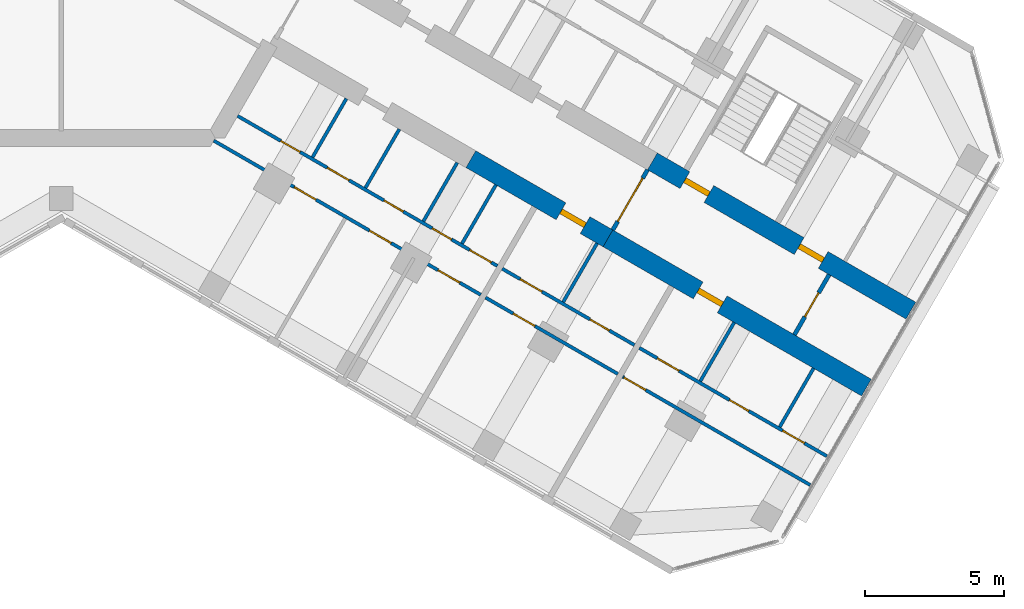
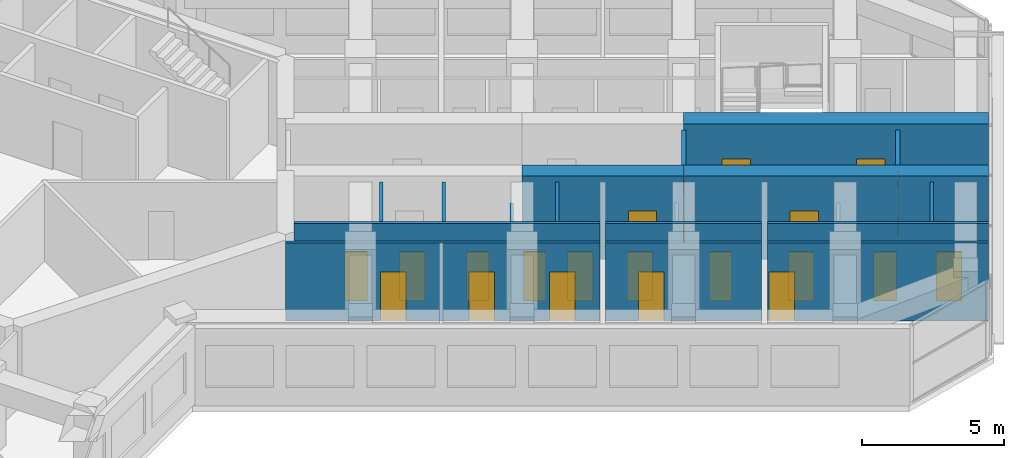
# One storey, part 11 of 16: 21 doors, 18 walls, 21 openings.
"""IFC4 building model written with IfcOpenShell, lengths in metres."""

from ifc_helpers import new_model, si_unit, direction, frame, frame_2d, origin, place, context, subcontext, project, spatial, rectangle, extrude, material, layer, layer_set, type_object, element, fill, save


model = new_model("IFC4")

# Units and contexts
model_context = context("Model", 3, precision=1e-05, world=origin(), true_north=direction((0.0, 1.0)))
body_context = subcontext(model_context, "Body", "Model", "MODEL_VIEW")
ifc_project = project(units=[si_unit("LENGTHUNIT", "METRE"), si_unit("AREAUNIT", "SQUARE_METRE"), si_unit("VOLUMEUNIT", "CUBIC_METRE"), si_unit("PLANEANGLEUNIT", "RADIAN"), si_unit("MASSUNIT", "GRAM", prefix="KILO")], contexts=[model_context])

# Site, building, storey
site_placement = place(None, origin())
site = spatial("IfcSite", under=ifc_project, at=site_placement, CompositionType="ELEMENT")
building_placement = place(site_placement, origin())
building = spatial("IfcBuilding", under=site, at=building_placement, Name="Kosmar Iwan School Tower", CompositionType="ELEMENT")
storey_placement = place(building_placement, frame((0.0, 0.0, 231.60009765625)))
storey = spatial("IfcBuildingStorey", under=building, at=storey_placement, Name="L58", CompositionType="ELEMENT", Elevation=231.60009765625)

# Wall, openings, doors
ifc_material_1 = material(Name="Concrete C50/60", Category="concrete")
ifc_layer_1 = layer(ifc_material_1, 0.699951171875)
ifc_layer_set_1 = layer_set([ifc_layer_1], Name="Corridor buttress wall 700")
wall_type_1 = type_object("IfcWallType", Name="Corridor buttress wall 700", PredefinedType="SHEAR", material=ifc_layer_set_1)
wall_1_placement = place(storey_placement, frame((21.281494140625, -10.439453125, 0.0), z_axis=(0.0, 0.0, 1.0), x_axis=(0.866032345022, -0.499987977232, 0.0)))
wall_1 = element("IfcWall", 1, at=wall_1_placement, inside=storey, type_object=wall_type_1, Name="Corridor wall CL bay 3", PredefinedType="SHEAR", context=body_context, shape_type="SweptSolid", body=[
    extrude(rectangle(XDim=10.744873046875, YDim=0.699951171875, at=frame_2d((5.37255859375, 0.0))), origin(), (0.0, 0.0, 1.0), 3.599853515625),
])
opening_1_placement = place(wall_1_placement, frame((6.10009765625, 0.0, 0.0)))
opening_1 = element("IfcOpeningElement", 2, at=opening_1_placement, cuts=wall_1, Name="Opening D1", PredefinedType="OPENING", context=body_context, shape_type="SweptSolid", body=[
    extrude(rectangle(XDim=1.0, YDim=2.10009765625, at=frame_2d((0.5, 1.050048828125))), frame((0.0, 0.362060546875, 0.0), z_axis=(0.0, -1.0, 0.0), x_axis=(1.0, 0.0, 0.0)), (0.0, 0.0, 1.0), 0.723876953125),
])
opening_2_placement = place(wall_1_placement, frame((1.35009765625, 0.0, 0.0)))
opening_2 = element("IfcOpeningElement", 3, at=opening_2_placement, cuts=wall_1, Name="Opening D6", PredefinedType="OPENING", context=body_context, shape_type="SweptSolid", body=[
    extrude(rectangle(XDim=1.0, YDim=2.10009765625, at=frame_2d((0.5, 1.050048828125))), frame((0.0, 0.362060546875, 0.0), z_axis=(0.0, -1.0, 0.0), x_axis=(1.0, 0.0, 0.0)), (0.0, 0.0, 1.0), 0.723876953125),
])
ifc_material_2 = material(Name="Timber fire door in steel frame", Category="steel")
door_type_1 = type_object("IfcDoorType", Name="Flat entrance door 1000x2100", OperationType="SINGLE_SWING_LEFT", PredefinedType="DOOR", material=ifc_material_2)
door_1_placement = place(opening_1_placement, origin())
door_1 = element("IfcDoor", 4, at=door_1_placement, inside=storey, type_object=door_type_1, Name="Flat L58-CL3 entrance door", OperationType="SINGLE_SWING_RIGHT", OverallHeight=2.10009765625, OverallWidth=1.0, PredefinedType="DOOR", context=body_context, shape_type="SweptSolid", body=[
    extrude(rectangle(XDim=1.0, YDim=2.10009765625, at=frame_2d((0.5, 1.050048828125))), frame((0.0, 0.10009765625, 0.0), z_axis=(0.0, -1.0, 0.0), x_axis=(1.0, 0.0, 0.0)), (0.0, 0.0, 1.0), 0.199951171875),
])
fill(opening_1, door_1)
ifc_material_3 = material(Name="Steel fire door", Category="steel")
door_type_2 = type_object("IfcDoorType", Name="Stair door 1000x2100", OperationType="SINGLE_SWING_LEFT", PredefinedType="DOOR", material=ifc_material_3)
door_2_placement = place(opening_2_placement, origin())
door_2 = element("IfcDoor", 5, at=door_2_placement, inside=storey, type_object=door_type_2, Name="Stair WS3 door L58", OperationType="SINGLE_SWING_LEFT", OverallHeight=2.10009765625, OverallWidth=1.0, PredefinedType="DOOR", context=body_context, shape_type="SweptSolid", body=[
    extrude(rectangle(XDim=1.0, YDim=2.10009765625, at=frame_2d((0.5, 1.050048828125))), frame((0.0, 0.10009765625, 0.0), z_axis=(0.0, -1.0, 0.0), x_axis=(1.0, 0.0, 0.0)), (0.0, 0.0, 1.0), 0.199951171875),
])
fill(opening_2, door_2)

# Wall, opening, door
wall_2_placement = place(storey_placement, frame((14.7451171875, -10.360595703125, 0.0), z_axis=(0.0, 0.0, 1.0), x_axis=(0.866015111908, -0.50001782563, 0.0)))
wall_2 = element("IfcWall", 6, at=wall_2_placement, inside=storey, type_object=wall_type_1, Name="Corridor wall CR bay 2", PredefinedType="SHEAR", context=body_context, shape_type="SweptSolid", body=[
    extrude(rectangle(XDim=5.699951171875, YDim=0.699951171875, at=frame_2d((2.85009765625, 0.0))), origin(), (0.0, 0.0, 1.0), 3.599853515625),
])
opening_3_placement = place(wall_2_placement, frame((3.75, 0.0, 0.0)))
opening_3 = element("IfcOpeningElement", 7, at=opening_3_placement, cuts=wall_2, Name="Opening D1", PredefinedType="OPENING", context=body_context, shape_type="SweptSolid", body=[
    extrude(rectangle(XDim=1.0, YDim=2.10009765625, at=frame_2d((0.5, 1.050048828125))), frame((0.0, 0.362060546875, 0.0), z_axis=(0.0, -1.0, 0.0), x_axis=(1.0, 0.0, 0.0)), (0.0, 0.0, 1.0), 0.723876953125),
])
door_3_placement = place(opening_3_placement, origin())
door_3 = element("IfcDoor", 8, at=door_3_placement, inside=storey, type_object=door_type_1, Name="Flat L58-CR2 entrance door", OperationType="SINGLE_SWING_RIGHT", OverallHeight=2.10009765625, OverallWidth=1.0, PredefinedType="DOOR", context=body_context, shape_type="SweptSolid", body=[
    extrude(rectangle(XDim=1.0, YDim=2.10009765625, at=frame_2d((0.5, 1.050048828125))), frame((0.0, 0.10009765625, 0.0), z_axis=(0.0, -1.0, 0.0), x_axis=(1.0, 0.0, 0.0)), (0.0, 0.0, 1.0), 0.199951171875),
])
fill(opening_3, door_3)

wall_3_placement = place(storey_placement, frame((19.681396484375, -13.210693359375, 0.0), z_axis=(0.0, 0.0, 1.0), x_axis=(0.866028186671, -0.499995179869, 0.0)))
wall_3 = element("IfcWall", 9, at=wall_3_placement, inside=storey, type_object=wall_type_1, Name="Corridor wall CR bay 3", PredefinedType="SHEAR", context=body_context, shape_type="SweptSolid", body=[
    extrude(rectangle(XDim=10.7451171875, YDim=0.699951171875, at=frame_2d((5.37255859375, 0.0))), origin(), (0.0, 0.0, 1.0), 3.599853515625),
])
opening_4_placement = place(wall_3_placement, frame((3.75, 0.0, 0.0)))
opening_4 = element("IfcOpeningElement", 10, at=opening_4_placement, cuts=wall_3, Name="Opening D1", PredefinedType="OPENING", context=body_context, shape_type="SweptSolid", body=[
    extrude(rectangle(XDim=1.0, YDim=2.10009765625, at=frame_2d((0.5, 1.050048828125))), frame((0.0, 0.362060546875, 0.0), z_axis=(0.0, -1.0, 0.0), x_axis=(1.0, 0.0, 0.0)), (0.0, 0.0, 1.0), 0.723876953125),
])
door_4_placement = place(opening_4_placement, origin())
door_4 = element("IfcDoor", 11, at=door_4_placement, inside=storey, type_object=door_type_1, Name="Flat L58-CR3 entrance door", OperationType="SINGLE_SWING_RIGHT", OverallHeight=2.10009765625, OverallWidth=1.0, PredefinedType="DOOR", context=body_context, shape_type="SweptSolid", body=[
    extrude(rectangle(XDim=1.0, YDim=2.10009765625, at=frame_2d((0.5, 1.050048828125))), frame((0.0, 0.10009765625, 0.0), z_axis=(0.0, -1.0, 0.0), x_axis=(1.0, 0.0, 0.0)), (0.0, 0.0, 1.0), 0.199951171875),
])
fill(opening_4, door_4)

ifc_material_4 = material(Name="Gypsum board on steel studs, fire-rated", Category="steel")
ifc_layer_2 = layer(ifc_material_4, 0.14990234375)
ifc_layer_set_2 = layer_set([ifc_layer_2], Name="Corridor end wall 150")
wall_type_2 = type_object("IfcWallType", Name="Corridor end wall 150", PredefinedType="PARTITIONING", material=ifc_layer_set_2)
wall_4_placement = place(storey_placement, frame((26.39501953125, -16.6826171875, 0.0), z_axis=(0.0, 0.0, 1.0), x_axis=(0.500004234368, 0.866022959057, 0.0)))
wall_4 = element("IfcWall", 12, at=wall_4_placement, inside=storey, type_object=wall_type_2, Name="Partition L58-C-CE", PredefinedType="PARTITIONING", context=body_context, shape_type="SweptSolid", body=[
    extrude(rectangle(XDim=2.5, YDim=0.14990234375, at=frame_2d((1.25, 0.0))), origin(), (0.0, 0.0, 1.0), 3.349853515625),
])
opening_5_placement = place(wall_4_placement, frame((0.75, 0.0, 0.0)))
opening_5 = element("IfcOpeningElement", 13, at=opening_5_placement, cuts=wall_4, Name="Opening D13", PredefinedType="OPENING", context=body_context, shape_type="SweptSolid", body=[
    extrude(rectangle(XDim=1.0, YDim=2.10009765625, at=frame_2d((0.5, 1.050048828125))), frame((0.0, 0.0869140625, 0.0), z_axis=(0.0, -1.0, 0.0), x_axis=(1.0, 0.0, 0.0)), (0.0, 0.0, 1.0), 0.173828125),
])
ifc_material_5 = material(Name="Timber fire door with vision panel", Category="wood")
door_type_3 = type_object("IfcDoorType", Name="Corridor end door 1000x2100", OperationType="SINGLE_SWING_LEFT", PredefinedType="DOOR", material=ifc_material_5)
door_5_placement = place(opening_5_placement, origin())
door_5 = element("IfcDoor", 14, at=door_5_placement, inside=storey, type_object=door_type_3, Name="Laundry and drying room door L58-C", OperationType="SINGLE_SWING_LEFT", OverallHeight=2.10009765625, OverallWidth=1.0, PredefinedType="DOOR", context=body_context, shape_type="SweptSolid", body=[
    extrude(rectangle(XDim=1.0, YDim=2.10009765625, at=frame_2d((0.5, 1.050048828125))), frame((0.0, 0.02490234375, 0.0), z_axis=(0.0, -1.0, 0.0), x_axis=(1.0, 0.0, 0.0)), (0.0, 0.0, 1.0), 0.050048828125),
])
fill(opening_5, door_5)

wall_5_placement = place(storey_placement, frame((19.8564453125, -12.907470703125, 0.0), z_axis=(0.0, 0.0, 1.0), x_axis=(0.500004234368, 0.866022959057, 0.0)))
wall_5 = element("IfcWall", 15, at=wall_5_placement, inside=storey, type_object=wall_type_2, Name="Partition L58-C-HW", PredefinedType="PARTITIONING", context=body_context, shape_type="SweptSolid", body=[
    extrude(rectangle(XDim=2.5, YDim=0.14990234375, at=frame_2d((1.25, 0.0))), origin(), (0.0, 0.0, 1.0), 3.349853515625),
])
opening_6_placement = place(wall_5_placement, frame((0.35009765625, 0.0, 0.0)))
opening_6 = element("IfcOpeningElement", 16, at=opening_6_placement, cuts=wall_5, Name="Opening D9", PredefinedType="OPENING", context=body_context, shape_type="SweptSolid", body=[
    extrude(rectangle(XDim=1.800048828125, YDim=2.10009765625, at=frame_2d((0.89990234375, 1.050048828125))), frame((0.0, 0.0869140625, 0.0), z_axis=(0.0, -1.0, 0.0), x_axis=(1.0, 0.0, 0.0)), (0.0, 0.0, 1.0), 0.173828125),
])
ifc_material_6 = material(Name="Steel framed glazed smoke door", Category="steel")
door_type_4 = type_object("IfcDoorType", Name="Corridor smoke door pair 1800x2100", OperationType="DOUBLE_DOOR_DOUBLE_SWING", PredefinedType="DOOR", material=ifc_material_6)
door_6_placement = place(opening_6_placement, origin())
door_6 = element("IfcDoor", 17, at=door_6_placement, inside=storey, type_object=door_type_4, Name="Entrance vestibule smoke doors L58-C", OperationType="DOUBLE_DOOR_DOUBLE_SWING", OverallHeight=2.10009765625, OverallWidth=1.800048828125, PredefinedType="DOOR", context=body_context, shape_type="SweptSolid", body=[
    extrude(rectangle(XDim=1.800048828125, YDim=2.10009765625, at=frame_2d((0.89990234375, 1.050048828125))), frame((0.0, 0.02490234375, 0.0), z_axis=(0.0, -1.0, 0.0), x_axis=(1.0, 0.0, 0.0)), (0.0, 0.0, 1.0), 0.050048828125),
])
fill(opening_6, door_6)

# Wall, openings, doors
ifc_material_7 = material(Name="Gypsum board on steel studs", Category="steel")
ifc_layer_3 = layer(ifc_material_7, 0.1201171875)
ifc_layer_set_3 = layer_set([ifc_layer_3], Name="Dwelling partition 120")
wall_type_3 = type_object("IfcWallType", Name="Dwelling partition 120", PredefinedType="PARTITIONING", material=ifc_layer_set_3)
wall_6_placement = place(storey_placement, frame((6.3486328125, -8.8037109375, 0.0), z_axis=(0.0, 0.0, 1.0), x_axis=(0.866018442252, -0.500012057535, 0.0)))
wall_6 = element("IfcWall", 18, at=wall_6_placement, inside=storey, type_object=wall_type_3, Name="Partition L58-CR1-W1", PredefinedType="PARTITIONING", context=body_context, shape_type="SweptSolid", body=[
    extrude(rectangle(XDim=10.800048828125, YDim=0.1201171875, at=frame_2d((5.39990234375, 0.0))), origin(), (0.0, 0.0, 1.0), 3.349853515625),
])
opening_7_placement = place(wall_6_placement, frame((1.7900390625, 0.0, 0.0)))
opening_7 = element("IfcOpeningElement", 19, at=opening_7_placement, cuts=wall_6, Name="Opening D3", PredefinedType="OPENING", context=body_context, shape_type="SweptSolid", body=[
    extrude(rectangle(XDim=0.800048828125, YDim=2.10009765625, at=frame_2d((0.39990234375, 1.050048828125))), frame((0.0, 0.072021484375, 0.0), z_axis=(0.0, -1.0, 0.0), x_axis=(1.0, 0.0, 0.0)), (0.0, 0.0, 1.0), 0.14404296875),
])
opening_8_placement = place(wall_6_placement, frame((3.72998046875, 0.0, 0.0)))
opening_8 = element("IfcOpeningElement", 20, at=opening_8_placement, cuts=wall_6, Name="Opening D2", PredefinedType="OPENING", context=body_context, shape_type="SweptSolid", body=[
    extrude(rectangle(XDim=0.89990234375, YDim=2.10009765625, at=frame_2d((0.449951171875, 1.050048828125))), frame((0.0, 0.072021484375, 0.0), z_axis=(0.0, -1.0, 0.0), x_axis=(1.0, 0.0, 0.0)), (0.0, 0.0, 1.0), 0.14404296875),
])
opening_9_placement = place(wall_6_placement, frame((6.084228515625, 0.0, 0.0)))
opening_9 = element("IfcOpeningElement", 21, at=opening_9_placement, cuts=wall_6, Name="Opening D3", PredefinedType="OPENING", context=body_context, shape_type="SweptSolid", body=[
    extrude(rectangle(XDim=0.800048828125, YDim=2.10009765625, at=frame_2d((0.39990234375, 1.050048828125))), frame((0.0, 0.072021484375, 0.0), z_axis=(0.0, -1.0, 0.0), x_axis=(1.0, 0.0, 0.0)), (0.0, 0.0, 1.0), 0.14404296875),
])
opening_10_placement = place(wall_6_placement, frame((8.091552734375, 0.0, 0.0)))
opening_10 = element("IfcOpeningElement", 22, at=opening_10_placement, cuts=wall_6, Name="Opening D3", PredefinedType="OPENING", context=body_context, shape_type="SweptSolid", body=[
    extrude(rectangle(XDim=0.800048828125, YDim=2.10009765625, at=frame_2d((0.39990234375, 1.050048828125))), frame((0.0, 0.072021484375, 0.0), z_axis=(0.0, -1.0, 0.0), x_axis=(1.0, 0.0, 0.0)), (0.0, 0.0, 1.0), 0.14404296875),
])
opening_11_placement = place(wall_6_placement, frame((9.647216796875, 0.0, 0.0)))
opening_11 = element("IfcOpeningElement", 23, at=opening_11_placement, cuts=wall_6, Name="Opening D2", PredefinedType="OPENING", context=body_context, shape_type="SweptSolid", body=[
    extrude(rectangle(XDim=0.89990234375, YDim=2.10009765625, at=frame_2d((0.449951171875, 1.050048828125))), frame((0.0, 0.072021484375, 0.0), z_axis=(0.0, -1.0, 0.0), x_axis=(1.0, 0.0, 0.0)), (0.0, 0.0, 1.0), 0.14404296875),
])
ifc_material_8 = material(Name="Timber door in timber frame", Category="wood")
door_type_5 = type_object("IfcDoorType", Name="Internal door 900x2100", OperationType="SINGLE_SWING_LEFT", PredefinedType="DOOR", material=ifc_material_8)
door_7_placement = place(opening_8_placement, origin())
door_7 = element("IfcDoor", 24, at=door_7_placement, inside=storey, type_object=door_type_5, Name="Entrance hall door L58-CR1-S2", OperationType="SINGLE_SWING_LEFT", OverallHeight=2.10009765625, OverallWidth=0.89990234375, PredefinedType="DOOR", context=body_context, shape_type="SweptSolid", body=[
    extrude(rectangle(XDim=0.89990234375, YDim=2.10009765625, at=frame_2d((0.449951171875, 1.050048828125))), frame((0.0, 0.02490234375, 0.0), z_axis=(0.0, -1.0, 0.0), x_axis=(1.0, 0.0, 0.0)), (0.0, 0.0, 1.0), 0.050048828125),
])
fill(opening_8, door_7)
door_8_placement = place(opening_11_placement, origin())
door_8 = element("IfcDoor", 25, at=door_8_placement, inside=storey, type_object=door_type_5, Name="Pantry door L58-CR1-S5", OperationType="SINGLE_SWING_RIGHT", OverallHeight=2.10009765625, OverallWidth=0.89990234375, PredefinedType="DOOR", context=body_context, shape_type="SweptSolid", body=[
    extrude(rectangle(XDim=0.89990234375, YDim=2.10009765625, at=frame_2d((0.449951171875, 1.050048828125))), frame((0.0, 0.02490234375, 0.0), z_axis=(0.0, -1.0, 0.0), x_axis=(1.0, 0.0, 0.0)), (0.0, 0.0, 1.0), 0.050048828125),
])
fill(opening_11, door_8)
ifc_material_9 = material(Name="Timber door in timber frame", Category="wood")
door_type_6 = type_object("IfcDoorType", Name="Sanitary room door 800x2100", OperationType="SINGLE_SWING_LEFT", PredefinedType="DOOR", material=ifc_material_9)
door_9_placement = place(opening_7_placement, origin())
door_9 = element("IfcDoor", 26, at=door_9_placement, inside=storey, type_object=door_type_6, Name="Shower room door L58-CR1-S1", OperationType="SINGLE_SWING_RIGHT", OverallHeight=2.10009765625, OverallWidth=0.800048828125, PredefinedType="DOOR", context=body_context, shape_type="SweptSolid", body=[
    extrude(rectangle(XDim=0.800048828125, YDim=2.10009765625, at=frame_2d((0.39990234375, 1.050048828125))), frame((0.0, 0.02490234375, 0.0), z_axis=(0.0, -1.0, 0.0), x_axis=(1.0, 0.0, 0.0)), (0.0, 0.0, 1.0), 0.050048828125),
])
fill(opening_7, door_9)
door_10_placement = place(opening_9_placement, origin())
door_10 = element("IfcDoor", 27, at=door_10_placement, inside=storey, type_object=door_type_6, Name="Bathroom door L58-CR1-S3", OperationType="SINGLE_SWING_RIGHT", OverallHeight=2.10009765625, OverallWidth=0.800048828125, PredefinedType="DOOR", context=body_context, shape_type="SweptSolid", body=[
    extrude(rectangle(XDim=0.800048828125, YDim=2.10009765625, at=frame_2d((0.39990234375, 1.050048828125))), frame((0.0, 0.02490234375, 0.0), z_axis=(0.0, -1.0, 0.0), x_axis=(1.0, 0.0, 0.0)), (0.0, 0.0, 1.0), 0.050048828125),
])
fill(opening_9, door_10)
door_11_placement = place(opening_10_placement, origin())
door_11 = element("IfcDoor", 28, at=door_11_placement, inside=storey, type_object=door_type_6, Name="Grandparents' shower room door L58-CR1-S4", OperationType="SINGLE_SWING_LEFT", OverallHeight=2.10009765625, OverallWidth=0.800048828125, PredefinedType="DOOR", context=body_context, shape_type="SweptSolid", body=[
    extrude(rectangle(XDim=0.800048828125, YDim=2.10009765625, at=frame_2d((0.39990234375, 1.050048828125))), frame((0.0, 0.02490234375, 0.0), z_axis=(0.0, -1.0, 0.0), x_axis=(1.0, 0.0, 0.0)), (0.0, 0.0, 1.0), 0.050048828125),
])
fill(opening_10, door_11)

wall_7_placement = place(storey_placement, frame((5.48876953125, -9.693115234375, 0.0), z_axis=(0.0, 0.0, 1.0), x_axis=(0.866026992824, -0.499997247692, 0.0)))
wall_7 = element("IfcWall", 29, at=wall_7_placement, inside=storey, type_object=wall_type_3, Name="Partition L58-CR1-W2", PredefinedType="PARTITIONING", context=body_context, shape_type="SweptSolid", body=[
    extrude(rectangle(XDim=11.10009765625, YDim=0.1201171875, at=frame_2d((5.550048828125, 0.0))), origin(), (0.0, 0.0, 1.0), 3.349853515625),
])
opening_12_placement = place(wall_7_placement, frame((3.35009765625, 0.0, 0.0)))
opening_12 = element("IfcOpeningElement", 30, at=opening_12_placement, cuts=wall_7, Name="Opening D2", PredefinedType="OPENING", context=body_context, shape_type="SweptSolid", body=[
    extrude(rectangle(XDim=0.89990234375, YDim=2.10009765625, at=frame_2d((0.449951171875, 1.050048828125))), frame((0.0, 0.072021484375, 0.0), z_axis=(0.0, -1.0, 0.0), x_axis=(1.0, 0.0, 0.0)), (0.0, 0.0, 1.0), 0.14404296875),
])
opening_13_placement = place(wall_7_placement, frame((6.47509765625, 0.0, 0.0)))
opening_13 = element("IfcOpeningElement", 31, at=opening_13_placement, cuts=wall_7, Name="Opening D2", PredefinedType="OPENING", context=body_context, shape_type="SweptSolid", body=[
    extrude(rectangle(XDim=0.89990234375, YDim=2.10009765625, at=frame_2d((0.449951171875, 1.050048828125))), frame((0.0, 0.072021484375, 0.0), z_axis=(0.0, -1.0, 0.0), x_axis=(1.0, 0.0, 0.0)), (0.0, 0.0, 1.0), 0.14404296875),
])
opening_14_placement = place(wall_7_placement, frame((9.324951171875, 0.0, 0.0)))
opening_14 = element("IfcOpeningElement", 32, at=opening_14_placement, cuts=wall_7, Name="Opening D2", PredefinedType="OPENING", context=body_context, shape_type="SweptSolid", body=[
    extrude(rectangle(XDim=0.89990234375, YDim=2.10009765625, at=frame_2d((0.449951171875, 1.050048828125))), frame((0.0, 0.072021484375, 0.0), z_axis=(0.0, -1.0, 0.0), x_axis=(1.0, 0.0, 0.0)), (0.0, 0.0, 1.0), 0.14404296875),
])
door_12_placement = place(opening_12_placement, origin())
door_12 = element("IfcDoor", 33, at=door_12_placement, inside=storey, type_object=door_type_5, Name="Grandparents' suite door L58-CR1-F1", OperationType="SINGLE_SWING_LEFT", OverallHeight=2.10009765625, OverallWidth=0.89990234375, PredefinedType="DOOR", context=body_context, shape_type="SweptSolid", body=[
    extrude(rectangle(XDim=0.89990234375, YDim=2.10009765625, at=frame_2d((0.449951171875, 1.050048828125))), frame((0.0, 0.02490234375, 0.0), z_axis=(0.0, -1.0, 0.0), x_axis=(1.0, 0.0, 0.0)), (0.0, 0.0, 1.0), 0.050048828125),
])
fill(opening_12, door_12)
door_13_placement = place(opening_13_placement, origin())
door_13 = element("IfcDoor", 34, at=door_13_placement, inside=storey, type_object=door_type_5, Name="Living room and kitchen door L58-CR1-F2", OperationType="SINGLE_SWING_RIGHT", OverallHeight=2.10009765625, OverallWidth=0.89990234375, PredefinedType="DOOR", context=body_context, shape_type="SweptSolid", body=[
    extrude(rectangle(XDim=0.89990234375, YDim=2.10009765625, at=frame_2d((0.449951171875, 1.050048828125))), frame((0.0, 0.02490234375, 0.0), z_axis=(0.0, -1.0, 0.0), x_axis=(1.0, 0.0, 0.0)), (0.0, 0.0, 1.0), 0.050048828125),
])
fill(opening_13, door_13)
door_14_placement = place(opening_14_placement, origin())
door_14 = element("IfcDoor", 35, at=door_14_placement, inside=storey, type_object=door_type_5, Name="Bedroom 1 door L58-CR1-F3", OperationType="SINGLE_SWING_RIGHT", OverallHeight=2.10009765625, OverallWidth=0.89990234375, PredefinedType="DOOR", context=body_context, shape_type="SweptSolid", body=[
    extrude(rectangle(XDim=0.89990234375, YDim=2.10009765625, at=frame_2d((0.449951171875, 1.050048828125))), frame((0.0, 0.02490234375, 0.0), z_axis=(0.0, -1.0, 0.0), x_axis=(1.0, 0.0, 0.0)), (0.0, 0.0, 1.0), 0.050048828125),
])
fill(opening_14, door_14)

# Walls
for number, where, z_axis, x_axis, name in (
    (36, (10.26611328125, -8.1787109375, 0.0), (0.0, 0.0, 1.0), (-0.500077547548, -0.865980627057, 0.0), "Partition L58-CR1-Y1"),
    (37, (12.17138671875, -9.27880859375, 0.0), (0.0, 0.0, 1.0), (-0.500077547548, -0.865980627057, 0.0), "Partition L58-CR1-Y2"),
):
    element("IfcWall", number, at=place(storey_placement, frame(where, z_axis=z_axis, x_axis=x_axis)), inside=storey, type_object=wall_type_3, Name=name, PredefinedType="PARTITIONING", context=body_context, shape_type="SweptSolid", body=[
        extrude(rectangle(XDim=2.43994140625, YDim=0.1201171875, at=frame_2d((1.219970703125, 0.0))), origin(), (0.0, 0.0, 1.0), 3.349853515625),
    ])
wall_8_placement = place(storey_placement, frame((14.257080078125, -10.48291015625, 0.0), z_axis=(0.0, 0.0, 1.0), x_axis=(-0.499959183527, -0.866048967903, 0.0)))
element("IfcWall", 38, at=wall_8_placement, inside=storey, type_object=wall_type_3, Name="Partition L58-CR1-Y3", PredefinedType="PARTITIONING", context=body_context, shape_type="SweptSolid", body=[
    extrude(rectangle(XDim=2.440185546875, YDim=0.1201171875, at=frame_2d((1.22021484375, 0.0))), origin(), (0.0, 0.0, 1.0), 2.449951171875),
])
wall_9_placement = place(storey_placement, frame((15.647705078125, -11.285888671875, 0.0), z_axis=(0.0, 0.0, 1.0), x_axis=(-0.500002508028, -0.866023955769, 0.0)))
element("IfcWall", 39, at=wall_9_placement, inside=storey, type_object=wall_type_3, Name="Partition L58-CR1-Y4", PredefinedType="PARTITIONING", context=body_context, shape_type="SweptSolid", body=[
    extrude(rectangle(XDim=2.43994140625, YDim=0.1201171875, at=frame_2d((1.219970703125, 0.0))), origin(), (0.0, 0.0, 1.0), 3.349853515625),
])

# Wall, openings, doors
wall_10_placement = place(storey_placement, frame((15.875, -14.3037109375, 0.0), z_axis=(0.0, 0.0, 1.0), x_axis=(0.866027397988, -0.499996545922, 0.0)))
wall_10 = element("IfcWall", 40, at=wall_10_placement, inside=storey, type_object=wall_type_3, Name="Partition L58-CR2-W1", PredefinedType="PARTITIONING", context=body_context, shape_type="SweptSolid", body=[
    extrude(rectangle(XDim=5.5, YDim=0.1201171875, at=frame_2d((2.75, 0.0))), origin(), (0.0, 0.0, 1.0), 3.349853515625),
])
opening_15_placement = place(wall_10_placement, frame((0.75, 0.0, 0.0)))
opening_15 = element("IfcOpeningElement", 41, at=opening_15_placement, cuts=wall_10, Name="Opening D2", PredefinedType="OPENING", context=body_context, shape_type="SweptSolid", body=[
    extrude(rectangle(XDim=0.89990234375, YDim=2.10009765625, at=frame_2d((0.449951171875, 1.050048828125))), frame((0.0, 0.072021484375, 0.0), z_axis=(0.0, -1.0, 0.0), x_axis=(1.0, 0.0, 0.0)), (0.0, 0.0, 1.0), 0.14404296875),
])
opening_16_placement = place(wall_10_placement, frame((3.64990234375, 0.0, 0.0)))
opening_16 = element("IfcOpeningElement", 42, at=opening_16_placement, cuts=wall_10, Name="Opening D3", PredefinedType="OPENING", context=body_context, shape_type="SweptSolid", body=[
    extrude(rectangle(XDim=0.800048828125, YDim=2.10009765625, at=frame_2d((0.39990234375, 1.050048828125))), frame((0.0, 0.072021484375, 0.0), z_axis=(0.0, -1.0, 0.0), x_axis=(1.0, 0.0, 0.0)), (0.0, 0.0, 1.0), 0.14404296875),
])
door_15_placement = place(opening_15_placement, origin())
door_15 = element("IfcDoor", 43, at=door_15_placement, inside=storey, type_object=door_type_5, Name="Entrance hall door L58-CR2-S1", OperationType="SINGLE_SWING_RIGHT", OverallHeight=2.10009765625, OverallWidth=0.89990234375, PredefinedType="DOOR", context=body_context, shape_type="SweptSolid", body=[
    extrude(rectangle(XDim=0.89990234375, YDim=2.10009765625, at=frame_2d((0.449951171875, 1.050048828125))), frame((0.0, 0.02490234375, 0.0), z_axis=(0.0, -1.0, 0.0), x_axis=(1.0, 0.0, 0.0)), (0.0, 0.0, 1.0), 0.050048828125),
])
fill(opening_15, door_15)
door_16_placement = place(opening_16_placement, origin())
door_16 = element("IfcDoor", 44, at=door_16_placement, inside=storey, type_object=door_type_6, Name="Bathroom door L58-CR2-S2", OperationType="SINGLE_SWING_RIGHT", OverallHeight=2.10009765625, OverallWidth=0.800048828125, PredefinedType="DOOR", context=body_context, shape_type="SweptSolid", body=[
    extrude(rectangle(XDim=0.800048828125, YDim=2.10009765625, at=frame_2d((0.39990234375, 1.050048828125))), frame((0.0, 0.02490234375, 0.0), z_axis=(0.0, -1.0, 0.0), x_axis=(1.0, 0.0, 0.0)), (0.0, 0.0, 1.0), 0.050048828125),
])
fill(opening_16, door_16)

# Wall, opening, door
wall_11_placement = place(storey_placement, frame((15.27490234375, -15.343017578125, 0.0), z_axis=(0.0, 0.0, 1.0), x_axis=(0.866027397988, -0.499996545922, 0.0)))
wall_11 = element("IfcWall", 45, at=wall_11_placement, inside=storey, type_object=wall_type_3, Name="Partition L58-CR2-W2", PredefinedType="PARTITIONING", context=body_context, shape_type="SweptSolid", body=[
    extrude(rectangle(XDim=5.5, YDim=0.1201171875, at=frame_2d((2.75, 0.0))), origin(), (0.0, 0.0, 1.0), 3.349853515625),
])
opening_17_placement = place(wall_11_placement, frame((1.14990234375, 0.0, 0.0)))
opening_17 = element("IfcOpeningElement", 46, at=opening_17_placement, cuts=wall_11, Name="Opening D2", PredefinedType="OPENING", context=body_context, shape_type="SweptSolid", body=[
    extrude(rectangle(XDim=0.89990234375, YDim=2.10009765625, at=frame_2d((0.449951171875, 1.050048828125))), frame((0.0, 0.072021484375, 0.0), z_axis=(0.0, -1.0, 0.0), x_axis=(1.0, 0.0, 0.0)), (0.0, 0.0, 1.0), 0.14404296875),
])
door_17_placement = place(opening_17_placement, origin())
door_17 = element("IfcDoor", 47, at=door_17_placement, inside=storey, type_object=door_type_5, Name="Studio living room and kitchen door L58-CR2-F1", OperationType="SINGLE_SWING_LEFT", OverallHeight=2.10009765625, OverallWidth=0.89990234375, PredefinedType="DOOR", context=body_context, shape_type="SweptSolid", body=[
    extrude(rectangle(XDim=0.89990234375, YDim=2.10009765625, at=frame_2d((0.449951171875, 1.050048828125))), frame((0.0, 0.02490234375, 0.0), z_axis=(0.0, -1.0, 0.0), x_axis=(1.0, 0.0, 0.0)), (0.0, 0.0, 1.0), 0.050048828125),
])
fill(opening_17, door_17)

# Wall
wall_12_placement = place(storey_placement, frame((19.2900390625, -13.388671875, 0.0), z_axis=(0.0, 0.0, 1.0), x_axis=(-0.499959183527, -0.866048967903, 0.0)))
element("IfcWall", 48, at=wall_12_placement, inside=storey, type_object=wall_type_3, Name="Partition L58-CR2-Y1", PredefinedType="PARTITIONING", context=body_context, shape_type="SweptSolid", body=[
    extrude(rectangle(XDim=2.440185546875, YDim=0.1201171875, at=frame_2d((1.22021484375, 0.0))), origin(), (0.0, 0.0, 1.0), 2.449951171875),
])

# Wall, openings, doors
wall_13_placement = place(storey_placement, frame((20.811279296875, -17.15380859375, 0.0), z_axis=(0.0, 0.0, 1.0), x_axis=(0.866029639064, -0.499992664208, 0.0)))
wall_13 = element("IfcWall", 49, at=wall_13_placement, inside=storey, type_object=wall_type_3, Name="Partition L58-CR3-W1", PredefinedType="PARTITIONING", context=body_context, shape_type="SweptSolid", body=[
    extrude(rectangle(XDim=7.794921875, YDim=0.1201171875, at=frame_2d((3.8974609375, 0.0))), origin(), (0.0, 0.0, 1.0), 3.349853515625),
])
opening_18_placement = place(wall_13_placement, frame((0.75, 0.0, 0.0)))
opening_18 = element("IfcOpeningElement", 50, at=opening_18_placement, cuts=wall_13, Name="Opening D2", PredefinedType="OPENING", context=body_context, shape_type="SweptSolid", body=[
    extrude(rectangle(XDim=0.89990234375, YDim=2.10009765625, at=frame_2d((0.449951171875, 1.050048828125))), frame((0.0, 0.072021484375, 0.0), z_axis=(0.0, -1.0, 0.0), x_axis=(1.0, 0.0, 0.0)), (0.0, 0.0, 1.0), 0.14404296875),
])
opening_19_placement = place(wall_13_placement, frame((3.75, 0.0, 0.0)))
opening_19 = element("IfcOpeningElement", 51, at=opening_19_placement, cuts=wall_13, Name="Opening D3", PredefinedType="OPENING", context=body_context, shape_type="SweptSolid", body=[
    extrude(rectangle(XDim=0.800048828125, YDim=2.10009765625, at=frame_2d((0.39990234375, 1.050048828125))), frame((0.0, 0.072021484375, 0.0), z_axis=(0.0, -1.0, 0.0), x_axis=(1.0, 0.0, 0.0)), (0.0, 0.0, 1.0), 0.14404296875),
])
opening_20_placement = place(wall_13_placement, frame((5.9599609375, 0.0, 0.0)))
opening_20 = element("IfcOpeningElement", 52, at=opening_20_placement, cuts=wall_13, Name="Opening D2", PredefinedType="OPENING", context=body_context, shape_type="SweptSolid", body=[
    extrude(rectangle(XDim=0.89990234375, YDim=2.10009765625, at=frame_2d((0.449951171875, 1.050048828125))), frame((0.0, 0.072021484375, 0.0), z_axis=(0.0, -1.0, 0.0), x_axis=(1.0, 0.0, 0.0)), (0.0, 0.0, 1.0), 0.14404296875),
])
door_18_placement = place(opening_18_placement, origin())
door_18 = element("IfcDoor", 53, at=door_18_placement, inside=storey, type_object=door_type_5, Name="Entrance hall door L58-CR3-S1", OperationType="SINGLE_SWING_LEFT", OverallHeight=2.10009765625, OverallWidth=0.89990234375, PredefinedType="DOOR", context=body_context, shape_type="SweptSolid", body=[
    extrude(rectangle(XDim=0.89990234375, YDim=2.10009765625, at=frame_2d((0.449951171875, 1.050048828125))), frame((0.0, 0.02490234375, 0.0), z_axis=(0.0, -1.0, 0.0), x_axis=(1.0, 0.0, 0.0)), (0.0, 0.0, 1.0), 0.050048828125),
])
fill(opening_18, door_18)
door_19_placement = place(opening_20_placement, origin())
door_19 = element("IfcDoor", 54, at=door_19_placement, inside=storey, type_object=door_type_5, Name="Pantry door L58-CR3-S3", OperationType="SINGLE_SWING_LEFT", OverallHeight=2.10009765625, OverallWidth=0.89990234375, PredefinedType="DOOR", context=body_context, shape_type="SweptSolid", body=[
    extrude(rectangle(XDim=0.89990234375, YDim=2.10009765625, at=frame_2d((0.449951171875, 1.050048828125))), frame((0.0, 0.02490234375, 0.0), z_axis=(0.0, -1.0, 0.0), x_axis=(1.0, 0.0, 0.0)), (0.0, 0.0, 1.0), 0.050048828125),
])
fill(opening_20, door_19)
door_20_placement = place(opening_19_placement, origin())
door_20 = element("IfcDoor", 55, at=door_20_placement, inside=storey, type_object=door_type_6, Name="Bathroom door L58-CR3-S2", OperationType="SINGLE_SWING_RIGHT", OverallHeight=2.10009765625, OverallWidth=0.800048828125, PredefinedType="DOOR", context=body_context, shape_type="SweptSolid", body=[
    extrude(rectangle(XDim=0.800048828125, YDim=2.10009765625, at=frame_2d((0.39990234375, 1.050048828125))), frame((0.0, 0.02490234375, 0.0), z_axis=(0.0, -1.0, 0.0), x_axis=(1.0, 0.0, 0.0)), (0.0, 0.0, 1.0), 0.050048828125),
])
fill(opening_19, door_20)

# Wall, opening, door
wall_14_placement = place(storey_placement, frame((20.211181640625, -18.193115234375, 0.0), z_axis=(0.0, 0.0, 1.0), x_axis=(0.866029639064, -0.499992664208, 0.0)))
wall_14 = element("IfcWall", 56, at=wall_14_placement, inside=storey, type_object=wall_type_3, Name="Partition L58-CR3-W2", PredefinedType="PARTITIONING", context=body_context, shape_type="SweptSolid", body=[
    extrude(rectangle(XDim=7.794921875, YDim=0.1201171875, at=frame_2d((3.8974609375, 0.0))), origin(), (0.0, 0.0, 1.0), 3.349853515625),
])
opening_21_placement = place(wall_14_placement, frame((0.06005859375, 0.0, 0.0)))
opening_21 = element("IfcOpeningElement", 57, at=opening_21_placement, cuts=wall_14, Name="Opening D2", PredefinedType="OPENING", context=body_context, shape_type="SweptSolid", body=[
    extrude(rectangle(XDim=0.89990234375, YDim=2.10009765625, at=frame_2d((0.449951171875, 1.050048828125))), frame((0.0, 0.072021484375, 0.0), z_axis=(0.0, -1.0, 0.0), x_axis=(1.0, 0.0, 0.0)), (0.0, 0.0, 1.0), 0.14404296875),
])
door_21_placement = place(opening_21_placement, origin())
door_21 = element("IfcDoor", 58, at=door_21_placement, inside=storey, type_object=door_type_5, Name="Studio living room and kitchen door L58-CR3-F1", OperationType="SINGLE_SWING_LEFT", OverallHeight=2.10009765625, OverallWidth=0.89990234375, PredefinedType="DOOR", context=body_context, shape_type="SweptSolid", body=[
    extrude(rectangle(XDim=0.89990234375, YDim=2.10009765625, at=frame_2d((0.449951171875, 1.050048828125))), frame((0.0, 0.02490234375, 0.0), z_axis=(0.0, -1.0, 0.0), x_axis=(1.0, 0.0, 0.0)), (0.0, 0.0, 1.0), 0.050048828125),
])
fill(opening_21, door_21)

# Walls
wall_15_placement = place(storey_placement, frame((24.226318359375, -16.23876953125, 0.0), z_axis=(0.0, 0.0, 1.0), x_axis=(-0.500002508028, -0.866023955769, 0.0)))
element("IfcWall", 59, at=wall_15_placement, inside=storey, type_object=wall_type_3, Name="Partition L58-CR3-Y1", PredefinedType="PARTITIONING", context=body_context, shape_type="SweptSolid", body=[
    extrude(rectangle(XDim=2.43994140625, YDim=0.1201171875, at=frame_2d((1.219970703125, 0.0))), origin(), (0.0, 0.0, 1.0), 2.449951171875),
])
wall_16_placement = place(storey_placement, frame((27.084228515625, -17.888671875, 0.0), z_axis=(0.0, 0.0, 1.0), x_axis=(-0.499959183527, -0.866048967903, 0.0)))
element("IfcWall", 60, at=wall_16_placement, inside=storey, type_object=wall_type_3, Name="Partition L58-CR3-Y2", PredefinedType="PARTITIONING", context=body_context, shape_type="SweptSolid", body=[
    extrude(rectangle(XDim=2.440185546875, YDim=0.1201171875, at=frame_2d((1.22021484375, 0.0))), origin(), (0.0, 0.0, 1.0), 3.349853515625),
])

save(model, "model.ifc")
